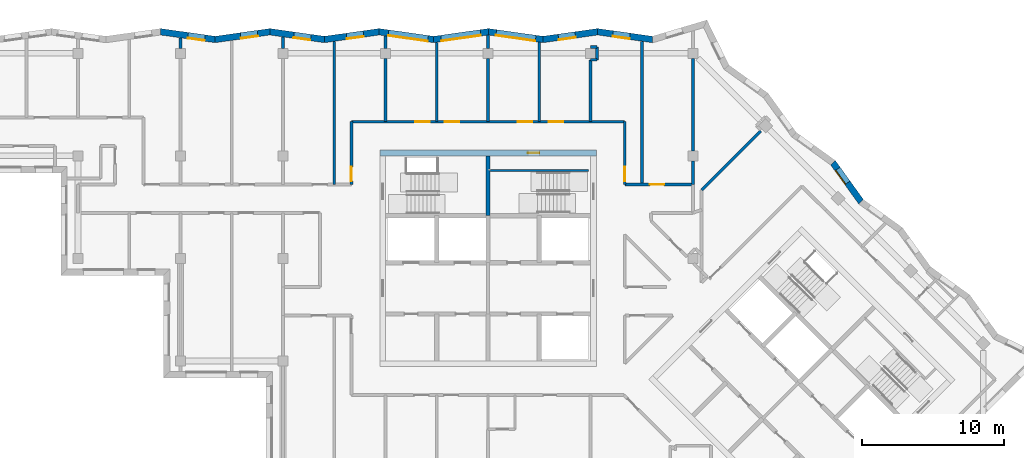
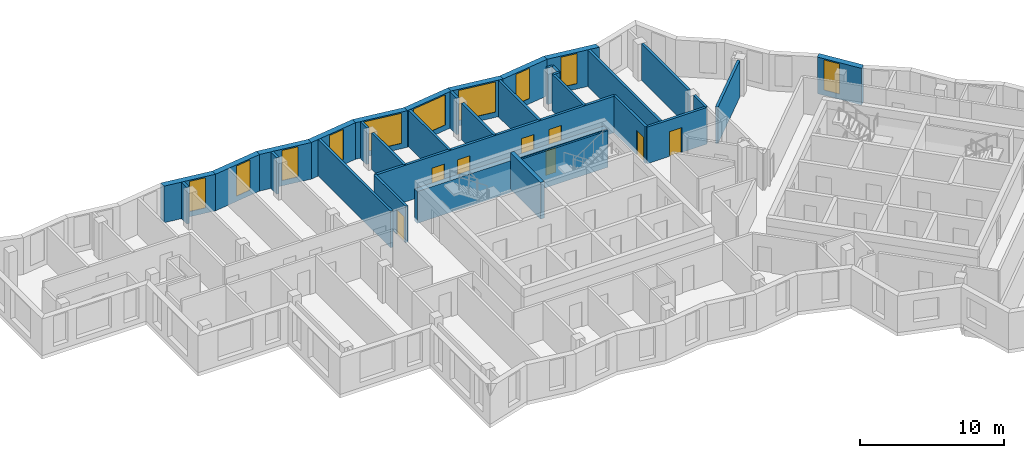
# One storey, part 6 of 11: 34 walls, 10 windows, 8 doors, 18 openings.
"""IFC4 building model written with IfcOpenShell, lengths in metres."""

from ifc_helpers import new_model, si_unit, direction, frame, frame_2d, origin, place, context, subcontext, project, spatial, polyline, rectangle, outline, extrude, material, layer, layer_set, type_object, element, fill, save


model = new_model("IFC4")

# Units and contexts
model_context = context("Model", 3, precision=1e-05, world=origin(), true_north=direction((0.0, 1.0)))
body_context = subcontext(model_context, "Body", "Model", "MODEL_VIEW")
ifc_project = project(units=[si_unit("LENGTHUNIT", "METRE"), si_unit("AREAUNIT", "SQUARE_METRE"), si_unit("VOLUMEUNIT", "CUBIC_METRE"), si_unit("PLANEANGLEUNIT", "RADIAN"), si_unit("MASSUNIT", "GRAM", prefix="KILO")], contexts=[model_context])

# Site, building, storey
site_placement = place(None, origin())
site = spatial("IfcSite", under=ifc_project, at=site_placement, CompositionType="ELEMENT")
building_placement = place(site_placement, origin())
building = spatial("IfcBuilding", under=site, at=building_placement, Name="Windrow Commons", CompositionType="ELEMENT")
storey_placement = place(building_placement, frame((0.0, 0.0, 271.0)))
storey = spatial("IfcBuildingStorey", under=building, at=storey_placement, Name="L74", CompositionType="ELEMENT", Elevation=271.0)

# Wall, opening, window
ifc_material_1 = material(Name="Brick masonry, red clay brick", Category="masonry")
ifc_layer_1 = layer(ifc_material_1, 0.45)
ifc_layer_set_1 = layer_set([ifc_layer_1], Name="Brick facade wall 450")
wall_type_1 = type_object("IfcWallType", Name="Brick facade wall 450", PredefinedType="SOLIDWALL", material=ifc_layer_set_1)
wall_1_placement = place(storey_placement, frame((90.9995, 61.5752, 0.0), z_axis=(0.0, 0.0, 1.0), x_axis=(-0.5845797599, 0.8113362462, 0.0)))
wall_1 = element("IfcWall", 1, at=wall_1_placement, inside=storey, type_object=wall_type_1, Name="Brick facade wall L74 12", PredefinedType="SOLIDWALL", context=body_context, shape_type="SweptSolid", body=[
    extrude(outline(polyline([(0.0365, -0.225), (3.4173, -0.225), (3.3442, 0.225), (-0.0365, 0.225), (0.0365, -0.225)])), origin(), (0.0, 0.0, 1.0), 3.1),
])
opening_1_placement = place(wall_1_placement, frame((1.6382, 0.0, 0.45)))
opening_1 = element("IfcOpeningElement", 2, at=opening_1_placement, cuts=wall_1, Name="Opening W7F", PredefinedType="OPENING", context=body_context, shape_type="SweptSolid", body=[
    extrude(rectangle(XDim=1.2, YDim=2.55, at=frame_2d((0.6, 1.275))), frame((0.0, 0.235, 0.0), z_axis=(0.0, -1.0, 0.0), x_axis=(1.0, 0.0, 0.0)), (0.0, 0.0, 1.0), 0.47),
])
ifc_material_2 = material(Name="Clear float glass in anodised aluminium frame", Category="aluminium")
window_type_1 = type_object("IfcWindowType", Name="Window W7 notch 1200x2550", PartitioningType="SINGLE_PANEL", PredefinedType="WINDOW", material=ifc_material_2)
window_1_placement = place(opening_1_placement, origin())
window_1 = element("IfcWindow", 3, at=window_1_placement, inside=storey, type_object=window_type_1, Name="Window L74 12.1", OverallHeight=2.55, OverallWidth=1.2, PartitioningType="SINGLE_PANEL", PredefinedType="WINDOW", context=body_context, shape_type="SweptSolid", body=[
    extrude(rectangle(XDim=1.2, YDim=2.55, at=frame_2d((0.6, 1.275))), frame((0.0, 0.205, 0.0), z_axis=(0.0, -1.0, 0.0), x_axis=(1.0, 0.0, 0.0)), (0.0, 0.0, 1.0), 0.06),
])
fill(opening_1, window_1)

wall_2_placement = place(storey_placement, frame((76.3507, 72.9703, 0.0), z_axis=(0.0, 0.0, 1.0), x_axis=(-0.9901651862, 0.1399031953, 0.0)))
wall_2 = element("IfcWall", 4, at=wall_2_placement, inside=storey, type_object=wall_type_1, Name="Brick facade wall L74 18", PredefinedType="SOLIDWALL", context=body_context, shape_type="SweptSolid", body=[
    extrude(outline(polyline([(0.0491, -0.225), (3.9238, -0.225), (3.8602, 0.225), (-0.0491, 0.225), (0.0491, -0.225)])), origin(), (0.0, 0.0, 1.0), 3.1),
])
opening_2_placement = place(wall_2_placement, frame((1.6092, 0.0, 0.45)))
opening_2 = element("IfcOpeningElement", 5, at=opening_2_placement, cuts=wall_2, Name="Opening W7F", PredefinedType="OPENING", context=body_context, shape_type="SweptSolid", body=[
    extrude(rectangle(XDim=1.2, YDim=2.55, at=frame_2d((0.6, 1.275))), frame((0.0, 0.235, 0.0), z_axis=(0.0, -1.0, 0.0), x_axis=(1.0, 0.0, 0.0)), (0.0, 0.0, 1.0), 0.47),
])
window_2_placement = place(opening_2_placement, origin())
window_2 = element("IfcWindow", 6, at=window_2_placement, inside=storey, type_object=window_type_1, Name="Window L74 18.1", OverallHeight=2.55, OverallWidth=1.2, PartitioningType="SINGLE_PANEL", PredefinedType="WINDOW", context=body_context, shape_type="SweptSolid", body=[
    extrude(rectangle(XDim=1.2, YDim=2.55, at=frame_2d((0.6, 1.275))), frame((0.0, 0.205, 0.0), z_axis=(0.0, -1.0, 0.0), x_axis=(1.0, 0.0, 0.0)), (0.0, 0.0, 1.0), 0.06),
])
fill(opening_2, window_2)

wall_3_placement = place(storey_placement, frame((72.497, 73.5148, 0.0), z_axis=(0.0, 0.0, 1.0), x_axis=(-0.9901681853, -0.1398819675, 0.0)))
wall_3 = element("IfcWall", 7, at=wall_3_placement, inside=storey, type_object=wall_type_1, Name="Brick facade wall L74 19", PredefinedType="SOLIDWALL", context=body_context, shape_type="SweptSolid", body=[
    extrude(outline(polyline([(-0.0318, -0.225), (3.8429, -0.225), (3.9065, 0.225), (0.0318, 0.225), (-0.0318, -0.225)])), origin(), (0.0, 0.0, 1.0), 3.1),
])
opening_3_placement = place(wall_3_placement, frame((1.5828, 0.0, 0.45)))
opening_3 = element("IfcOpeningElement", 8, at=opening_3_placement, cuts=wall_3, Name="Opening W7F", PredefinedType="OPENING", context=body_context, shape_type="SweptSolid", body=[
    extrude(rectangle(XDim=1.2, YDim=2.55, at=frame_2d((0.6, 1.275))), frame((0.0, 0.235, 0.0), z_axis=(0.0, -1.0, 0.0), x_axis=(1.0, 0.0, 0.0)), (0.0, 0.0, 1.0), 0.47),
])
window_3_placement = place(opening_3_placement, origin())
window_3 = element("IfcWindow", 9, at=window_3_placement, inside=storey, type_object=window_type_1, Name="Window L74 19.1A", OverallHeight=2.55, OverallWidth=1.2, PartitioningType="SINGLE_PANEL", PredefinedType="WINDOW", context=body_context, shape_type="SweptSolid", body=[
    extrude(rectangle(XDim=1.2, YDim=2.55, at=frame_2d((0.6, 1.275))), frame((0.0, 0.205, 0.0), z_axis=(0.0, -1.0, 0.0), x_axis=(1.0, 0.0, 0.0)), (0.0, 0.0, 1.0), 0.06),
])
fill(opening_3, window_3)

wall_4_placement = place(storey_placement, frame((68.6604, 72.9728, 0.0), z_axis=(0.0, 0.0, 1.0), x_axis=(-0.9901681853, 0.1398819675, 0.0)))
wall_4 = element("IfcWall", 10, at=wall_4_placement, inside=storey, type_object=wall_type_1, Name="Brick facade wall L74 20", PredefinedType="SOLIDWALL", context=body_context, shape_type="SweptSolid", body=[
    extrude(outline(polyline([(0.0318, -0.225), (3.9065, -0.225), (3.8429, 0.225), (-0.0318, 0.225), (0.0318, -0.225)])), origin(), (0.0, 0.0, 1.0), 3.1),
])
opening_4_placement = place(wall_4_placement, frame((0.5214, 0.0, 0.45)))
opening_4 = element("IfcOpeningElement", 11, at=opening_4_placement, cuts=wall_4, Name="Opening W1V", PredefinedType="OPENING", context=body_context, shape_type="SweptSolid", body=[
    extrude(rectangle(XDim=2.8, YDim=2.55, at=frame_2d((1.4, 1.275))), frame((0.0, 0.235, 0.0), z_axis=(0.0, -1.0, 0.0), x_axis=(1.0, 0.0, 0.0)), (0.0, 0.0, 1.0), 0.47),
])
ifc_material_3 = material(Name="Clear float glass in anodised aluminium frame", Category="aluminium")
window_type_2 = type_object("IfcWindowType", Name="Window W1V bedroom 2800x2550", PartitioningType="SINGLE_PANEL", PredefinedType="WINDOW", material=ifc_material_3)
window_4_placement = place(opening_4_placement, origin())
window_4 = element("IfcWindow", 12, at=window_4_placement, inside=storey, type_object=window_type_2, Name="Window L74 20.1", OverallHeight=2.55, OverallWidth=2.8, PartitioningType="SINGLE_PANEL", PredefinedType="WINDOW", context=body_context, shape_type="SweptSolid", body=[
    extrude(rectangle(XDim=2.8, YDim=2.55, at=frame_2d((1.4, 1.275))), frame((0.0, 0.205, 0.0), z_axis=(0.0, -1.0, 0.0), x_axis=(1.0, 0.0, 0.0)), (0.0, 0.0, 1.0), 0.06),
])
fill(opening_4, window_4)

wall_5_placement = place(storey_placement, frame((64.8238, 73.5148, 0.0), z_axis=(0.0, 0.0, 1.0), x_axis=(-0.9901681853, -0.1398819675, 0.0)))
wall_5 = element("IfcWall", 13, at=wall_5_placement, inside=storey, type_object=wall_type_1, Name="Brick facade wall L74 21", PredefinedType="SOLIDWALL", context=body_context, shape_type="SweptSolid", body=[
    extrude(outline(polyline([(-0.0318, -0.225), (3.8429, -0.225), (3.9065, 0.225), (0.0318, 0.225), (-0.0318, -0.225)])), origin(), (0.0, 0.0, 1.0), 3.1),
])
opening_5_placement = place(wall_5_placement, frame((0.5532, 0.0, 0.45)))
opening_5 = element("IfcOpeningElement", 14, at=opening_5_placement, cuts=wall_5, Name="Opening W1V", PredefinedType="OPENING", context=body_context, shape_type="SweptSolid", body=[
    extrude(rectangle(XDim=2.8, YDim=2.55, at=frame_2d((1.4, 1.275))), frame((0.0, 0.235, 0.0), z_axis=(0.0, -1.0, 0.0), x_axis=(1.0, 0.0, 0.0)), (0.0, 0.0, 1.0), 0.47),
])
window_5_placement = place(opening_5_placement, origin())
window_5 = element("IfcWindow", 15, at=window_5_placement, inside=storey, type_object=window_type_2, Name="Window L74 21.1", OverallHeight=2.55, OverallWidth=2.8, PartitioningType="SINGLE_PANEL", PredefinedType="WINDOW", context=body_context, shape_type="SweptSolid", body=[
    extrude(rectangle(XDim=2.8, YDim=2.55, at=frame_2d((1.4, 1.275))), frame((0.0, 0.205, 0.0), z_axis=(0.0, -1.0, 0.0), x_axis=(1.0, 0.0, 0.0)), (0.0, 0.0, 1.0), 0.06),
])
fill(opening_5, window_5)

wall_6_placement = place(storey_placement, frame((60.9872, 72.9728, 0.0), z_axis=(0.0, 0.0, 1.0), x_axis=(-0.9901681853, 0.1398819675, 0.0)))
wall_6 = element("IfcWall", 16, at=wall_6_placement, inside=storey, type_object=wall_type_1, Name="Brick facade wall L74 22", PredefinedType="SOLIDWALL", context=body_context, shape_type="SweptSolid", body=[
    extrude(outline(polyline([(0.0318, -0.225), (3.9065, -0.225), (3.8429, 0.225), (-0.0318, 0.225), (0.0318, -0.225)])), origin(), (0.0, 0.0, 1.0), 3.1),
])
opening_6_placement = place(wall_6_placement, frame((0.4104, 0.0, 0.45)))
opening_6 = element("IfcOpeningElement", 17, at=opening_6_placement, cuts=wall_6, Name="Opening W1V", PredefinedType="OPENING", context=body_context, shape_type="SweptSolid", body=[
    extrude(rectangle(XDim=2.8, YDim=2.55, at=frame_2d((1.4, 1.275))), frame((0.0, 0.235, 0.0), z_axis=(0.0, -1.0, 0.0), x_axis=(1.0, 0.0, 0.0)), (0.0, 0.0, 1.0), 0.47),
])
window_6_placement = place(opening_6_placement, origin())
window_6 = element("IfcWindow", 18, at=window_6_placement, inside=storey, type_object=window_type_2, Name="Window L74 22.1", OverallHeight=2.55, OverallWidth=2.8, PartitioningType="SINGLE_PANEL", PredefinedType="WINDOW", context=body_context, shape_type="SweptSolid", body=[
    extrude(rectangle(XDim=2.8, YDim=2.55, at=frame_2d((1.4, 1.275))), frame((0.0, 0.205, 0.0), z_axis=(0.0, -1.0, 0.0), x_axis=(1.0, 0.0, 0.0)), (0.0, 0.0, 1.0), 0.06),
])
fill(opening_6, window_6)

wall_7_placement = place(storey_placement, frame((57.1506, 73.5148, 0.0), z_axis=(0.0, 0.0, 1.0), x_axis=(-0.9901676803, -0.1398855422, 0.0)))
wall_7 = element("IfcWall", 19, at=wall_7_placement, inside=storey, type_object=wall_type_1, Name="Brick facade wall L74 23", PredefinedType="SOLIDWALL", context=body_context, shape_type="SweptSolid", body=[
    extrude(outline(polyline([(-0.0318, -0.225), (3.8429, -0.225), (3.9065, 0.225), (0.0318, 0.225), (-0.0318, -0.225)])), origin(), (0.0, 0.0, 1.0), 3.1),
])
opening_7_placement = place(wall_7_placement, frame((1.1069, 0.0, 0.45)))
opening_7 = element("IfcOpeningElement", 20, at=opening_7_placement, cuts=wall_7, Name="Opening W7F", PredefinedType="OPENING", context=body_context, shape_type="SweptSolid", body=[
    extrude(rectangle(XDim=1.2, YDim=2.55, at=frame_2d((0.6, 1.275))), frame((0.0, 0.235, 0.0), z_axis=(0.0, -1.0, 0.0), x_axis=(1.0, 0.0, 0.0)), (0.0, 0.0, 1.0), 0.47),
])
window_7_placement = place(opening_7_placement, origin())
window_7 = element("IfcWindow", 21, at=window_7_placement, inside=storey, type_object=window_type_1, Name="Window L74 23.1", OverallHeight=2.55, OverallWidth=1.2, PartitioningType="SINGLE_PANEL", PredefinedType="WINDOW", context=body_context, shape_type="SweptSolid", body=[
    extrude(rectangle(XDim=1.2, YDim=2.55, at=frame_2d((0.6, 1.275))), frame((0.0, 0.205, 0.0), z_axis=(0.0, -1.0, 0.0), x_axis=(1.0, 0.0, 0.0)), (0.0, 0.0, 1.0), 0.06),
])
fill(opening_7, window_7)

wall_8_placement = place(storey_placement, frame((53.3141, 72.9728, 0.0), z_axis=(0.0, 0.0, 1.0), x_axis=(-0.9901681853, 0.1398819675, 0.0)))
wall_8 = element("IfcWall", 22, at=wall_8_placement, inside=storey, type_object=wall_type_1, Name="Brick facade wall L74 24", PredefinedType="SOLIDWALL", context=body_context, shape_type="SweptSolid", body=[
    extrude(outline(polyline([(0.0318, -0.225), (3.9065, -0.225), (3.8429, 0.225), (-0.0318, 0.225), (0.0318, -0.225)])), origin(), (0.0, 0.0, 1.0), 3.1),
])
opening_8_placement = place(wall_8_placement, frame((0.9715, 0.0, 0.45)))
opening_8 = element("IfcOpeningElement", 23, at=opening_8_placement, cuts=wall_8, Name="Opening W7F", PredefinedType="OPENING", context=body_context, shape_type="SweptSolid", body=[
    extrude(rectangle(XDim=1.2, YDim=2.55, at=frame_2d((0.6, 1.275))), frame((0.0, 0.235, 0.0), z_axis=(0.0, -1.0, 0.0), x_axis=(1.0, 0.0, 0.0)), (0.0, 0.0, 1.0), 0.47),
])
window_8_placement = place(opening_8_placement, origin())
window_8 = element("IfcWindow", 24, at=window_8_placement, inside=storey, type_object=window_type_1, Name="Window L74 24.1", OverallHeight=2.55, OverallWidth=1.2, PartitioningType="SINGLE_PANEL", PredefinedType="WINDOW", context=body_context, shape_type="SweptSolid", body=[
    extrude(rectangle(XDim=1.2, YDim=2.55, at=frame_2d((0.6, 1.275))), frame((0.0, 0.205, 0.0), z_axis=(0.0, -1.0, 0.0), x_axis=(1.0, 0.0, 0.0)), (0.0, 0.0, 1.0), 0.06),
])
fill(opening_8, window_8)

wall_9_placement = place(storey_placement, frame((49.4775, 73.5148, 0.0), z_axis=(0.0, 0.0, 1.0), x_axis=(-0.9901681853, -0.1398819675, 0.0)))
wall_9 = element("IfcWall", 25, at=wall_9_placement, inside=storey, type_object=wall_type_1, Name="Brick facade wall L74 25", PredefinedType="SOLIDWALL", context=body_context, shape_type="SweptSolid", body=[
    extrude(outline(polyline([(-0.0318, -0.225), (3.8429, -0.225), (3.9065, 0.225), (0.0318, 0.225), (-0.0318, -0.225)])), origin(), (0.0, 0.0, 1.0), 3.1),
])
opening_9_placement = place(wall_9_placement, frame((0.8679, 0.0, 0.45)))
opening_9 = element("IfcOpeningElement", 26, at=opening_9_placement, cuts=wall_9, Name="Opening W7F", PredefinedType="OPENING", context=body_context, shape_type="SweptSolid", body=[
    extrude(rectangle(XDim=1.2, YDim=2.55, at=frame_2d((0.6, 1.275))), frame((0.0, 0.235, 0.0), z_axis=(0.0, -1.0, 0.0), x_axis=(1.0, 0.0, 0.0)), (0.0, 0.0, 1.0), 0.47),
])
window_9_placement = place(opening_9_placement, origin())
window_9 = element("IfcWindow", 27, at=window_9_placement, inside=storey, type_object=window_type_1, Name="Window L74 25.1", OverallHeight=2.55, OverallWidth=1.2, PartitioningType="SINGLE_PANEL", PredefinedType="WINDOW", context=body_context, shape_type="SweptSolid", body=[
    extrude(rectangle(XDim=1.2, YDim=2.55, at=frame_2d((0.6, 1.275))), frame((0.0, 0.205, 0.0), z_axis=(0.0, -1.0, 0.0), x_axis=(1.0, 0.0, 0.0)), (0.0, 0.0, 1.0), 0.06),
])
fill(opening_9, window_9)

wall_10_placement = place(storey_placement, frame((45.6409, 72.9728, 0.0), z_axis=(0.0, 0.0, 1.0), x_axis=(-0.9901681853, 0.1398819675, 0.0)))
wall_10 = element("IfcWall", 28, at=wall_10_placement, inside=storey, type_object=wall_type_1, Name="Brick facade wall L74 26", PredefinedType="SOLIDWALL", context=body_context, shape_type="SweptSolid", body=[
    extrude(outline(polyline([(0.0318, -0.225), (3.9065, -0.225), (3.8429, 0.225), (-0.0318, 0.225), (0.0318, -0.225)])), origin(), (0.0, 0.0, 1.0), 3.1),
])
opening_10_placement = place(wall_10_placement, frame((0.7326, 0.0, 0.45)))
opening_10 = element("IfcOpeningElement", 29, at=opening_10_placement, cuts=wall_10, Name="Opening W7F", PredefinedType="OPENING", context=body_context, shape_type="SweptSolid", body=[
    extrude(rectangle(XDim=1.2, YDim=2.55, at=frame_2d((0.6, 1.275))), frame((0.0, 0.235, 0.0), z_axis=(0.0, -1.0, 0.0), x_axis=(1.0, 0.0, 0.0)), (0.0, 0.0, 1.0), 0.47),
])
window_10_placement = place(opening_10_placement, origin())
window_10 = element("IfcWindow", 30, at=window_10_placement, inside=storey, type_object=window_type_1, Name="Window L74 26.1", OverallHeight=2.55, OverallWidth=1.2, PartitioningType="SINGLE_PANEL", PredefinedType="WINDOW", context=body_context, shape_type="SweptSolid", body=[
    extrude(rectangle(XDim=1.2, YDim=2.55, at=frame_2d((0.6, 1.275))), frame((0.0, 0.205, 0.0), z_axis=(0.0, -1.0, 0.0), x_axis=(1.0, 0.0, 0.0)), (0.0, 0.0, 1.0), 0.06),
])
fill(opening_10, window_10)

# Wall, openings, doors
ifc_material_4 = material(Name="Blockwork partition", Category="masonry")
ifc_layer_2 = layer(ifc_material_4, 0.2)
ifc_layer_set_2 = layer_set([ifc_layer_2], Name="IW-CORRIDOR-200")
wall_type_2 = type_object("IfcWallType", Name="IW-CORRIDOR-200", PredefinedType="PARTITIONING", material=ifc_layer_set_2)
wall_11_placement = place(storey_placement, frame((55.2, 67.2, 0.0), z_axis=(0.0, 0.0, 1.0), x_axis=(1.0, 0.0, 0.0)))
wall_11 = element("IfcWall", 31, at=wall_11_placement, inside=storey, type_object=wall_type_2, Name="W-L74-W000", PredefinedType="PARTITIONING", context=body_context, shape_type="SweptSolid", body=[
    extrude(rectangle(XDim=19.2, YDim=0.2, at=frame_2d((9.6, 0.0))), origin(), (0.0, 0.0, 1.0), 3.1),
])
opening_11_placement = place(wall_11_placement, frame((4.4925, 0.0, 0.0)))
opening_11 = element("IfcOpeningElement", 32, at=opening_11_placement, cuts=wall_11, Name="Opening D310F", PredefinedType="OPENING", context=body_context, shape_type="SweptSolid", body=[
    extrude(rectangle(XDim=1.0, YDim=2.1, at=frame_2d((0.5, 1.05))), frame((0.0, 0.11, 0.0), z_axis=(0.0, -1.0, 0.0), x_axis=(1.0, 0.0, 0.0)), (0.0, 0.0, 1.0), 0.22),
])
opening_12_placement = place(wall_11_placement, frame((6.5675, 0.0, 0.0)))
opening_12 = element("IfcOpeningElement", 33, at=opening_12_placement, cuts=wall_11, Name="Opening D310F", PredefinedType="OPENING", context=body_context, shape_type="SweptSolid", body=[
    extrude(rectangle(XDim=1.0, YDim=2.1, at=frame_2d((0.5, 1.05))), frame((0.0, 0.11, 0.0), z_axis=(0.0, -1.0, 0.0), x_axis=(1.0, 0.0, 0.0)), (0.0, 0.0, 1.0), 0.22),
])
opening_13_placement = place(wall_11_placement, frame((11.6925, 0.0, 0.0)))
opening_13 = element("IfcOpeningElement", 34, at=opening_13_placement, cuts=wall_11, Name="Opening D310F", PredefinedType="OPENING", context=body_context, shape_type="SweptSolid", body=[
    extrude(rectangle(XDim=1.0, YDim=2.1, at=frame_2d((0.5, 1.05))), frame((0.0, 0.11, 0.0), z_axis=(0.0, -1.0, 0.0), x_axis=(1.0, 0.0, 0.0)), (0.0, 0.0, 1.0), 0.22),
])
opening_14_placement = place(wall_11_placement, frame((13.88, 0.0, 0.0)))
opening_14 = element("IfcOpeningElement", 35, at=opening_14_placement, cuts=wall_11, Name="Opening D310F", PredefinedType="OPENING", context=body_context, shape_type="SweptSolid", body=[
    extrude(rectangle(XDim=1.0, YDim=2.1, at=frame_2d((0.5, 1.05))), frame((0.0, 0.11, 0.0), z_axis=(0.0, -1.0, 0.0), x_axis=(1.0, 0.0, 0.0)), (0.0, 0.0, 1.0), 0.22),
])
ifc_material_5 = material(Name="Timber door leaf", Category="wood")
door_type_1 = type_object("IfcDoorType", Name="DT-AMENITY-1000", OperationType="SINGLE_SWING_LEFT", PredefinedType="DOOR", material=ifc_material_5)
door_1_placement = place(opening_11_placement, origin())
door_1 = element("IfcDoor", 36, at=door_1_placement, inside=storey, type_object=door_type_1, Name="D-L74-D024", OperationType="SINGLE_SWING_RIGHT", OverallHeight=2.1, OverallWidth=1.0, PredefinedType="DOOR", context=body_context, shape_type="SweptSolid", body=[
    extrude(rectangle(XDim=1.0, YDim=2.1, at=frame_2d((0.5, 1.05))), frame((0.0, 0.025, 0.0), z_axis=(0.0, -1.0, 0.0), x_axis=(1.0, 0.0, 0.0)), (0.0, 0.0, 1.0), 0.05),
])
fill(opening_11, door_1)
door_2_placement = place(opening_12_placement, origin())
door_2 = element("IfcDoor", 37, at=door_2_placement, inside=storey, type_object=door_type_1, Name="D-L74-D025", OperationType="SINGLE_SWING_LEFT", OverallHeight=2.1, OverallWidth=1.0, PredefinedType="DOOR", context=body_context, shape_type="SweptSolid", body=[
    extrude(rectangle(XDim=1.0, YDim=2.1, at=frame_2d((0.5, 1.05))), frame((0.0, 0.025, 0.0), z_axis=(0.0, -1.0, 0.0), x_axis=(1.0, 0.0, 0.0)), (0.0, 0.0, 1.0), 0.05),
])
fill(opening_12, door_2)
door_3_placement = place(opening_13_placement, origin())
door_3 = element("IfcDoor", 38, at=door_3_placement, inside=storey, type_object=door_type_1, Name="D-L74-D026", OperationType="SINGLE_SWING_RIGHT", OverallHeight=2.1, OverallWidth=1.0, PredefinedType="DOOR", context=body_context, shape_type="SweptSolid", body=[
    extrude(rectangle(XDim=1.0, YDim=2.1, at=frame_2d((0.5, 1.05))), frame((0.0, 0.025, 0.0), z_axis=(0.0, -1.0, 0.0), x_axis=(1.0, 0.0, 0.0)), (0.0, 0.0, 1.0), 0.05),
])
fill(opening_13, door_3)
door_4_placement = place(opening_14_placement, origin())
door_4 = element("IfcDoor", 39, at=door_4_placement, inside=storey, type_object=door_type_1, Name="D-L74-D027", OperationType="SINGLE_SWING_LEFT", OverallHeight=2.1, OverallWidth=1.0, PredefinedType="DOOR", context=body_context, shape_type="SweptSolid", body=[
    extrude(rectangle(XDim=1.0, YDim=2.1, at=frame_2d((0.5, 1.05))), frame((0.0, 0.025, 0.0), z_axis=(0.0, -1.0, 0.0), x_axis=(1.0, 0.0, 0.0)), (0.0, 0.0, 1.0), 0.05),
])
fill(opening_14, door_4)

# Wall, opening, door
wall_12_placement = place(storey_placement, frame((74.402, 62.8, 0.0), z_axis=(0.0, 0.0, 1.0), x_axis=(1.0, 0.0, 0.0)))
wall_12 = element("IfcWall", 40, at=wall_12_placement, inside=storey, type_object=wall_type_2, Name="W-L74-W036", PredefinedType="PARTITIONING", context=body_context, shape_type="SweptSolid", body=[
    extrude(rectangle(XDim=4.798, YDim=0.2, at=frame_2d((2.399, 0.0))), origin(), (0.0, 0.0, 1.0), 3.1),
])
opening_15_placement = place(wall_12_placement, frame((1.7655, 0.0, 0.0)))
opening_15 = element("IfcOpeningElement", 41, at=opening_15_placement, cuts=wall_12, Name="Opening D310F", PredefinedType="OPENING", context=body_context, shape_type="SweptSolid", body=[
    extrude(rectangle(XDim=1.0, YDim=2.1, at=frame_2d((0.5, 1.05))), frame((0.0, 0.11, 0.0), z_axis=(0.0, -1.0, 0.0), x_axis=(1.0, 0.0, 0.0)), (0.0, 0.0, 1.0), 0.22),
])
door_5_placement = place(opening_15_placement, origin())
door_5 = element("IfcDoor", 42, at=door_5_placement, inside=storey, type_object=door_type_1, Name="D-L74-D023", OperationType="SINGLE_SWING_LEFT", OverallHeight=2.1, OverallWidth=1.0, PredefinedType="DOOR", context=body_context, shape_type="SweptSolid", body=[
    extrude(rectangle(XDim=1.0, YDim=2.1, at=frame_2d((0.5, 1.05))), frame((0.0, 0.025, 0.0), z_axis=(0.0, -1.0, 0.0), x_axis=(1.0, 0.0, 0.0)), (0.0, 0.0, 1.0), 0.05),
])
fill(opening_15, door_5)

wall_13_placement = place(storey_placement, frame((55.2, 62.802, 0.0), z_axis=(0.0, 0.0, 1.0), x_axis=(0.0, 1.0, 0.0)))
wall_13 = element("IfcWall", 43, at=wall_13_placement, inside=storey, type_object=wall_type_2, Name="W-L74-W045", PredefinedType="PARTITIONING", context=body_context, shape_type="SweptSolid", body=[
    extrude(rectangle(XDim=4.398, YDim=0.2, at=frame_2d((2.199, 0.0))), origin(), (0.0, 0.0, 1.0), 3.1),
])
opening_16_placement = place(wall_13_placement, frame((0.2266, 0.0, 0.0)))
opening_16 = element("IfcOpeningElement", 44, at=opening_16_placement, cuts=wall_13, Name="Opening D310F", PredefinedType="OPENING", context=body_context, shape_type="SweptSolid", body=[
    extrude(rectangle(XDim=1.0, YDim=2.1, at=frame_2d((0.5, 1.05))), frame((0.0, 0.11, 0.0), z_axis=(0.0, -1.0, 0.0), x_axis=(1.0, 0.0, 0.0)), (0.0, 0.0, 1.0), 0.22),
])
door_6_placement = place(opening_16_placement, origin())
door_6 = element("IfcDoor", 45, at=door_6_placement, inside=storey, type_object=door_type_1, Name="D-L74-D021", OperationType="SINGLE_SWING_LEFT", OverallHeight=2.1, OverallWidth=1.0, PredefinedType="DOOR", context=body_context, shape_type="SweptSolid", body=[
    extrude(rectangle(XDim=1.0, YDim=2.1, at=frame_2d((0.5, 1.05))), frame((0.0, 0.025, 0.0), z_axis=(0.0, -1.0, 0.0), x_axis=(1.0, 0.0, 0.0)), (0.0, 0.0, 1.0), 0.05),
])
fill(opening_16, door_6)

wall_14_placement = place(storey_placement, frame((74.4, 62.802, 0.0), z_axis=(0.0, 0.0, 1.0), x_axis=(0.0, 1.0, 0.0)))
wall_14 = element("IfcWall", 46, at=wall_14_placement, inside=storey, type_object=wall_type_2, Name="W-L74-W046", PredefinedType="PARTITIONING", context=body_context, shape_type="SweptSolid", body=[
    extrude(rectangle(XDim=4.398, YDim=0.2, at=frame_2d((2.199, 0.0))), origin(), (0.0, 0.0, 1.0), 3.1),
])
opening_17_placement = place(wall_14_placement, frame((0.2266, 0.0, 0.0)))
opening_17 = element("IfcOpeningElement", 47, at=opening_17_placement, cuts=wall_14, Name="Opening D310F", PredefinedType="OPENING", context=body_context, shape_type="SweptSolid", body=[
    extrude(rectangle(XDim=1.0, YDim=2.1, at=frame_2d((0.5, 1.05))), frame((0.0, 0.11, 0.0), z_axis=(0.0, -1.0, 0.0), x_axis=(1.0, 0.0, 0.0)), (0.0, 0.0, 1.0), 0.22),
])
door_7_placement = place(opening_17_placement, origin())
door_7 = element("IfcDoor", 48, at=door_7_placement, inside=storey, type_object=door_type_1, Name="D-L74-D022", OperationType="SINGLE_SWING_RIGHT", OverallHeight=2.1, OverallWidth=1.0, PredefinedType="DOOR", context=body_context, shape_type="SweptSolid", body=[
    extrude(rectangle(XDim=1.0, YDim=2.1, at=frame_2d((0.5, 1.05))), frame((0.0, 0.025, 0.0), z_axis=(0.0, -1.0, 0.0), x_axis=(1.0, 0.0, 0.0)), (0.0, 0.0, 1.0), 0.05),
])
fill(opening_17, door_7)

# Walls
ifc_material_6 = material(Name="Blockwork partition", Category="masonry")
ifc_layer_3 = layer(ifc_material_6, 0.2)
ifc_layer_set_3 = layer_set([ifc_layer_3], Name="IW-PARTY-200")
wall_type_3 = type_object("IfcWallType", Name="IW-PARTY-200", PredefinedType="PARTITIONING", material=ifc_layer_set_3)
wall_15_placement = place(storey_placement, frame((75.6, 62.8, 0.0), z_axis=(0.0, 0.0, 1.0), x_axis=(0.0, 1.0, 0.0)))
element("IfcWall", 49, at=wall_15_placement, inside=storey, type_object=wall_type_3, Name="W-L74-W009", PredefinedType="PARTITIONING", context=body_context, shape_type="SweptSolid", body=[
    extrude(rectangle(XDim=10.0492, YDim=0.2, at=frame_2d((5.0246, 0.0))), origin(), (0.0, 0.0, 1.0), 3.1),
])
wall_16_placement = place(storey_placement, frame((54.0, 62.8, 0.0), z_axis=(0.0, 0.0, 1.0), x_axis=(0.0, 1.0, 0.0)))
element("IfcWall", 50, at=wall_16_placement, inside=storey, type_object=wall_type_3, Name="W-L74-W010", PredefinedType="PARTITIONING", context=body_context, shape_type="SweptSolid", body=[
    extrude(rectangle(XDim=10.0424, YDim=0.2, at=frame_2d((5.0212, 0.0))), origin(), (0.0, 0.0, 1.0), 3.1),
])
wall_17_placement = place(storey_placement, frame((79.2, 65.15, 0.0), z_axis=(0.0, 0.0, 1.0), x_axis=(0.0, 1.0, 0.0)))
element("IfcWall", 51, at=wall_17_placement, inside=storey, type_object=wall_type_3, Name="W-L74-W020", PredefinedType="PARTITIONING", context=body_context, shape_type="SweptSolid", body=[
    extrude(rectangle(XDim=6.5, YDim=0.2, at=frame_2d((3.25, 0.0))), origin(), (0.0, 0.0, 1.0), 3.1),
])
wall_18_placement = place(storey_placement, frame((79.8024, 62.4156, 0.0), z_axis=(0.0, 0.0, 1.0), x_axis=(0.7072775181, 0.7069360031, 0.0)))
element("IfcWall", 52, at=wall_18_placement, inside=storey, type_object=wall_type_3, Name="W-L74-W023", PredefinedType="PARTITIONING", context=body_context, shape_type="SweptSolid", body=[
    extrude(rectangle(XDim=5.8563, YDim=0.2, at=frame_2d((2.9282, 0.0))), origin(), (0.0, 0.0, 1.0), 3.1),
])
wall_19_placement = place(storey_placement, frame((68.4, 67.2, 0.0), z_axis=(0.0, 0.0, 1.0), x_axis=(0.0, 1.0, 0.0)))
element("IfcWall", 53, at=wall_19_placement, inside=storey, type_object=wall_type_3, Name="W-L74-W028", PredefinedType="PARTITIONING", context=body_context, shape_type="SweptSolid", body=[
    extrude(rectangle(XDim=5.5823, YDim=0.2, at=frame_2d((2.7912, 0.0))), origin(), (0.0, 0.0, 1.0), 3.1),
])
wall_20_placement = place(storey_placement, frame((61.2, 67.2, 0.0), z_axis=(0.0, 0.0, 1.0), x_axis=(0.0, 1.0, 0.0)))
element("IfcWall", 54, at=wall_20_placement, inside=storey, type_object=wall_type_3, Name="W-L74-W029", PredefinedType="PARTITIONING", context=body_context, shape_type="SweptSolid", body=[
    extrude(rectangle(XDim=5.5756, YDim=0.2, at=frame_2d((2.7878, 0.0))), origin(), (0.0, 0.0, 1.0), 3.1),
])
for number, where, z_axis, x_axis, name in (
    (55, (57.6, 67.2, 0.0), (0.0, 0.0, 1.0), (0.0, 1.0, 0.0), "W-L74-W042"),
    (56, (64.8, 67.2, 0.0), (0.0, 0.0, 1.0), (0.0, 1.0, 0.0), "W-L74-W043"),
):
    element("IfcWall", number, at=place(storey_placement, frame(where, z_axis=z_axis, x_axis=x_axis)), inside=storey, type_object=wall_type_3, Name=name, PredefinedType="PARTITIONING", context=body_context, shape_type="SweptSolid", body=[
        extrude(rectangle(XDim=4.45, YDim=0.2, at=frame_2d((2.225, 0.0))), origin(), (0.0, 0.0, 1.0), 3.1),
    ])
wall_21_placement = place(storey_placement, frame((72.0, 67.2, 0.0), z_axis=(0.0, 0.0, 1.0), x_axis=(0.0, 1.0, 0.0)))
element("IfcWall", 57, at=wall_21_placement, inside=storey, type_object=wall_type_3, Name="W-L74-W047", PredefinedType="PARTITIONING", context=body_context, shape_type="SweptSolid", body=[
    extrude(rectangle(XDim=4.346, YDim=0.2, at=frame_2d((2.173, 0.0))), origin(), (0.0, 0.0, 1.0), 3.1),
])
wall_22_placement = place(storey_placement, frame((79.2, 62.8, 0.0), z_axis=(0.0, 0.0, 1.0), x_axis=(0.0, 1.0, 0.0)))
element("IfcWall", 58, at=wall_22_placement, inside=storey, type_object=wall_type_3, Name="W-L74-W088", PredefinedType="PARTITIONING", context=body_context, shape_type="SweptSolid", body=[
    extrude(rectangle(XDim=1.65, YDim=0.2, at=frame_2d((0.825, 0.0))), origin(), (0.0, 0.0, 1.0), 3.1),
])
wall_23_placement = place(storey_placement, frame((72.45, 71.546, 0.0), z_axis=(0.0, 0.0, 1.0), x_axis=(0.0, 1.0, 0.0)))
element("IfcWall", 59, at=wall_23_placement, inside=storey, type_object=wall_type_3, Name="W-L74-W097", PredefinedType="PARTITIONING", context=body_context, shape_type="SweptSolid", body=[
    extrude(rectangle(XDim=0.908, YDim=0.2, at=frame_2d((0.454, 0.0))), origin(), (0.0, 0.0, 1.0), 3.1),
])
wall_24_placement = place(storey_placement, frame((64.8, 72.35, 0.0), z_axis=(0.0, 0.0, 1.0), x_axis=(0.0, 1.0, 0.0)))
element("IfcWall", 60, at=wall_24_placement, inside=storey, type_object=wall_type_3, Name="W-L74-W098", PredefinedType="PARTITIONING", context=body_context, shape_type="SweptSolid", body=[
    extrude(rectangle(XDim=0.9342, YDim=0.2, at=frame_2d((0.4671, 0.0))), origin(), (0.0, 0.0, 1.0), 3.1),
])
wall_25_placement = place(storey_placement, frame((57.6, 72.35, 0.0), z_axis=(0.0, 0.0, 1.0), x_axis=(0.0, 1.0, 0.0)))
element("IfcWall", 61, at=wall_25_placement, inside=storey, type_object=wall_type_3, Name="W-L74-W100", PredefinedType="PARTITIONING", context=body_context, shape_type="SweptSolid", body=[
    extrude(rectangle(XDim=0.8741, YDim=0.2, at=frame_2d((0.437, 0.0))), origin(), (0.0, 0.0, 1.0), 3.1),
])
wall_26_placement = place(storey_placement, frame((50.4, 72.35, 0.0), z_axis=(0.0, 0.0, 1.0), x_axis=(0.0, 1.0, 0.0)))
element("IfcWall", 62, at=wall_26_placement, inside=storey, type_object=wall_type_3, Name="W-L74-W103", PredefinedType="PARTITIONING", context=body_context, shape_type="SweptSolid", body=[
    extrude(rectangle(XDim=0.8072, YDim=0.2, at=frame_2d((0.4036, 0.0))), origin(), (0.0, 0.0, 1.0), 3.1),
])
wall_27_placement = place(storey_placement, frame((43.2, 72.35, 0.0), z_axis=(0.0, 0.0, 1.0), x_axis=(0.0, 1.0, 0.0)))
element("IfcWall", 63, at=wall_27_placement, inside=storey, type_object=wall_type_3, Name="W-L74-W108", PredefinedType="PARTITIONING", context=body_context, shape_type="SweptSolid", body=[
    extrude(rectangle(XDim=0.7404, YDim=0.2, at=frame_2d((0.3702, 0.0))), origin(), (0.0, 0.0, 1.0), 3.1),
])
for number, where, z_axis, x_axis, name in (
    (64, (72.0, 71.55, 0.0), (0.0, 0.0, 1.0), (1.0, 0.0, 0.0), "W-L74-W118"),
    (65, (72.0, 72.45, 0.0), (0.0, 0.0, 1.0), (1.0, 0.0, 0.0), "W-L74-W119"),
):
    element("IfcWall", number, at=place(storey_placement, frame(where, z_axis=z_axis, x_axis=x_axis)), inside=storey, type_object=wall_type_3, Name=name, PredefinedType="PARTITIONING", context=body_context, shape_type="SweptSolid", body=[
        extrude(rectangle(XDim=0.45, YDim=0.2, at=frame_2d((0.225, 0.0))), origin(), (0.0, 0.0, 1.0), 3.1),
    ])

# Wall, opening, door
ifc_material_7 = material(Name="Concrete C40/50", Category="concrete")
ifc_layer_4 = layer(ifc_material_7, 0.4)
ifc_layer_set_4 = layer_set([ifc_layer_4], Name="RC CORE WALL 400 C40/50")
wall_type_4 = type_object("IfcWallType", Name="RC CORE WALL 400 C40/50", PredefinedType="SHEAR", material=ifc_layer_set_4)
wall_28_placement = place(storey_placement, frame((57.2, 65.0, -0.3), z_axis=(0.0, 0.0, 1.0), x_axis=(1.0, 0.0, 0.0)))
wall_28 = element("IfcWall", 66, at=wall_28_placement, inside=storey, type_object=wall_type_4, Name="Core A wall outer-N", PredefinedType="SHEAR", context=body_context, shape_type="SweptSolid", body=[
    extrude(rectangle(XDim=15.2, YDim=0.4, at=frame_2d((7.6, 0.0))), origin(), (0.0, 0.0, 1.0), 2.7),
])
opening_18_placement = place(wall_28_placement, frame((10.4, 0.0, 0.3)))
opening_18 = element("IfcOpeningElement", 67, at=opening_18_placement, cuts=wall_28, Name="Opening D9", PredefinedType="OPENING", context=body_context, shape_type="SweptSolid", body=[
    extrude(rectangle(XDim=0.8, YDim=2.1, at=frame_2d((0.4, 1.05))), frame((0.0, 0.21, 0.0), z_axis=(0.0, -1.0, 0.0), x_axis=(1.0, 0.0, 0.0)), (0.0, 0.0, 1.0), 0.42),
])
ifc_material_8 = material(Name="Steel fire door leaf", Category="steel")
door_type_2 = type_object("IfcDoorType", Name="Riser access door 800", OperationType="SINGLE_SWING_LEFT", PredefinedType="DOOR", material=ifc_material_8)
door_8_placement = place(opening_18_placement, origin())
door_8 = element("IfcDoor", 68, at=door_8_placement, inside=storey, type_object=door_type_2, Name="Riser access door", OperationType="SINGLE_SWING_RIGHT", OverallHeight=2.1, OverallWidth=0.8, PredefinedType="DOOR", context=body_context, shape_type="SweptSolid", body=[
    extrude(rectangle(XDim=0.8, YDim=2.1, at=frame_2d((0.4, 1.05))), frame((0.0, 0.025, 0.0), z_axis=(0.0, -1.0, 0.0), x_axis=(1.0, 0.0, 0.0)), (0.0, 0.0, 1.0), 0.05),
])
fill(opening_18, door_8)

# Walls
ifc_material_9 = material(Name="Concrete C40/50", Category="concrete")
ifc_layer_5 = layer(ifc_material_9, 0.3)
ifc_layer_set_5 = layer_set([ifc_layer_5], Name="RC SHAFT WALL 300 C40/50")
wall_type_5 = type_object("IfcWallType", Name="RC SHAFT WALL 300 C40/50", PredefinedType="SOLIDWALL", material=ifc_layer_set_5)
wall_29_placement = place(storey_placement, frame((64.8, 60.6, 0.0), z_axis=(0.0, 0.0, 1.0), x_axis=(0.0, 1.0, 0.0)))
element("IfcWall", 69, at=wall_29_placement, inside=storey, type_object=wall_type_5, Name="Core A wall stair-mid", PredefinedType="SOLIDWALL", context=body_context, shape_type="SweptSolid", body=[
    extrude(rectangle(XDim=4.2, YDim=0.3, at=frame_2d((2.1, 0.0))), origin(), (0.0, 0.0, 1.0), 3.1),
])
ifc_material_10 = material(Name="Blockwork partition", Category="masonry")
ifc_layer_6 = layer(ifc_material_10, 0.15)
ifc_layer_set_6 = layer_set([ifc_layer_6], Name="Riser partition 150")
wall_type_6 = type_object("IfcWallType", Name="Riser partition 150", PredefinedType="PARTITIONING", material=ifc_layer_set_6)
wall_30_placement = place(storey_placement, frame((64.95, 63.78, 0.0), z_axis=(0.0, 0.0, 1.0), x_axis=(1.0, 0.0, 0.0)))
element("IfcWall", 70, at=wall_30_placement, inside=storey, type_object=wall_type_6, Name="W-core-strip-A-L74", PredefinedType="PARTITIONING", context=body_context, shape_type="SweptSolid", body=[
    extrude(rectangle(XDim=6.9, YDim=0.15, at=frame_2d((3.45, 0.0))), origin(), (0.0, 0.0, 1.0), 3.1),
])

save(model, "model.ifc")
